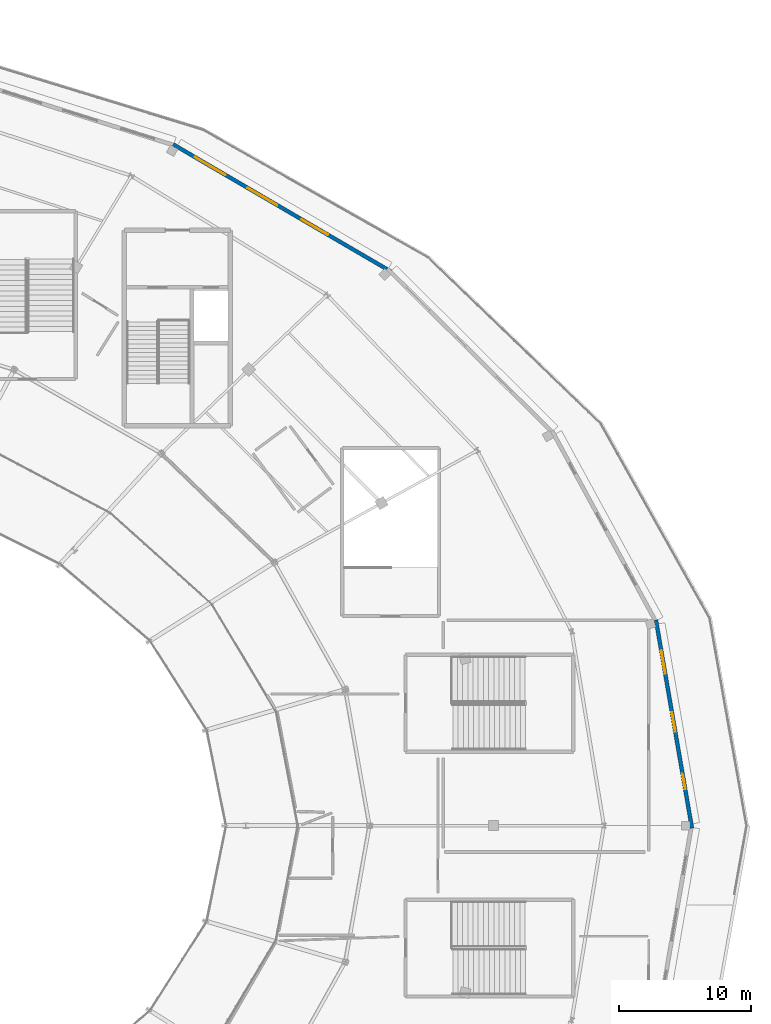
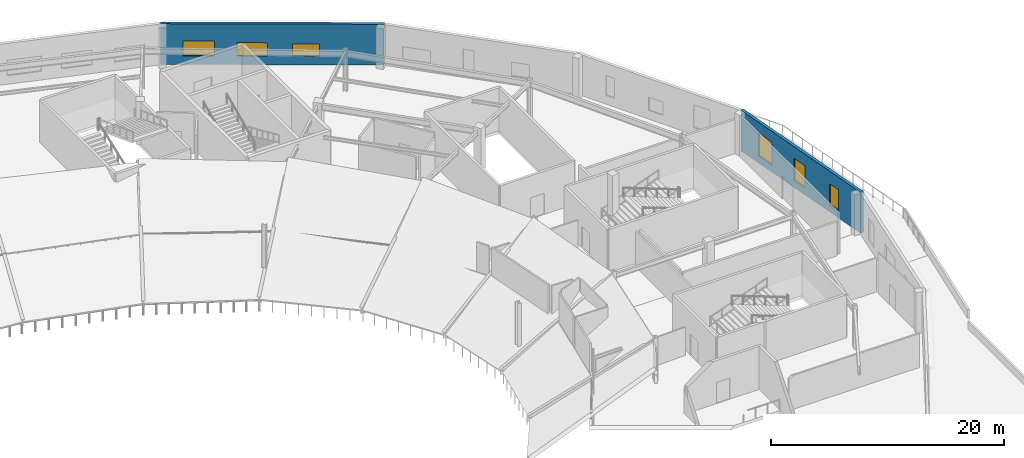
# One storey, part 42 of 63: 6 windows, 2 walls, 6 openings.
"""IFC4 building model written with IfcOpenShell, lengths in metres."""

import ifcopenshell
import ifcopenshell.guid

model = None  # the IFC model being written
_history = None  # IfcOwnerHistory: only IFC2X3 demands one
_inside = {}  # id of a spatial element -> (the spatial element, [elements in it])
_under = {}  # id of a project, library or spatial element -> (it, [spatial elements below it])
_declared = {}  # id of a project -> (the project, [libraries it declares])
_typed = {}  # id of a type object -> (the type object, [elements of that type])
_made_of = {}  # id of a material, layer set ... -> (it, [elements and type objects made of it])


def new_model(schema):
    """Start an empty IFC model of exactly this schema.

    Asked for "IFC4X3", IfcOpenShell would pick the latest addendum, in which some entities
    have other attributes; the version numbers below select the first issue.
    IFC2X3 requires an IfcOwnerHistory on every rooted entity: one is made here for all.
    """
    global model, _history
    if schema == "IFC4X3":
        model = ifcopenshell.file(schema_version=(4, 3, 0, 0))
    else:
        model = ifcopenshell.file(schema=schema)
    _inside.clear()
    _under.clear()
    _declared.clear()
    _typed.clear()
    _made_of.clear()
    _history = None
    if model.schema == "IFC2X3":
        org = make("IfcOrganization", Name="unknown")
        user = make(
            "IfcPersonAndOrganization",
            ThePerson=make("IfcPerson", FamilyName="unknown"),
            TheOrganization=org,
        )
        app = make(
            "IfcApplication",
            ApplicationDeveloper=org,
            Version="unknown",
            ApplicationFullName="unknown",
            ApplicationIdentifier="unknown",
        )
        _history = make(
            "IfcOwnerHistory",
            OwningUser=user,
            OwningApplication=app,
            ChangeAction="ADDED",
            CreationDate=0,
        )
    return model


def make(cls, **values):
    """One entity of the class cls with the attributes given. An attribute that is None is left unset."""
    return model.create_entity(
        cls, **{name: value for name, value in values.items() if value is not None}
    )


def rooted(cls, **values):
    """An entity with a GlobalId (a new one), such as an element, a storey or a relation."""
    return make(cls, GlobalId=ifcopenshell.guid.new(), OwnerHistory=_history, **values)


def si_unit(unit_type, name, prefix=None):
    """IfcSIUnit, for example si_unit("LENGTHUNIT", "METRE", prefix="MILLI")."""
    return make("IfcSIUnit", UnitType=unit_type, Prefix=prefix, Name=name)


def assignment(units):
    """IfcUnitAssignment: the units of a project."""
    return None if units is None else make("IfcUnitAssignment", Units=units)


def point(xyz):
    """IfcCartesianPoint."""
    return None if xyz is None else make("IfcCartesianPoint", Coordinates=xyz)


def direction(xyz):
    """IfcDirection."""
    return None if xyz is None else make("IfcDirection", DirectionRatios=xyz)


def frame(location, z_axis=None, x_axis=None):
    """IfcAxis2Placement3D, a coordinate frame: its origin and axes. An axis left out is left unset."""
    return make(
        "IfcAxis2Placement3D",
        Location=point(location),
        Axis=direction(z_axis),
        RefDirection=direction(x_axis),
    )


def frame_2d(location, x_axis=None):
    """IfcAxis2Placement2D, a coordinate frame in the plane: its origin and x axis."""
    return make(
        "IfcAxis2Placement2D", Location=point(location), RefDirection=direction(x_axis)
    )


def origin():
    """The frame at (0, 0, 0) with its axes left unset."""
    return frame((0.0, 0.0, 0.0))


def place(relative_to, where):
    """IfcLocalPlacement: puts the frame where relative to a parent placement (None: the world)."""
    return make(
        "IfcLocalPlacement", PlacementRelTo=relative_to, RelativePlacement=where
    )


def context(
    kind, dimensions, precision=None, world=None, true_north=None, identifier=None
):
    """IfcGeometricRepresentationContext, for example the 3D "Model" context."""
    return make(
        "IfcGeometricRepresentationContext",
        ContextIdentifier=identifier,
        ContextType=kind,
        CoordinateSpaceDimension=dimensions,
        Precision=precision,
        WorldCoordinateSystem=world,
        TrueNorth=true_north,
    )


def subcontext(parent, identifier, kind, view, scale=None):
    """IfcGeometricRepresentationSubContext, for example "Body" below "Model"."""
    return make(
        "IfcGeometricRepresentationSubContext",
        ContextIdentifier=identifier,
        ContextType=kind,
        ParentContext=parent,
        TargetScale=scale,
        TargetView=view,
    )


def project(units=None, contexts=None):
    """IfcProject with its units and contexts."""
    return rooted(
        "IfcProject",
        Name="project",
        RepresentationContexts=contexts,
        UnitsInContext=assignment(units),
    )


def spatial(cls, under=None, at=None, **own):
    """A site, building, storey or space (cls), placed at a placement, below another one or the project."""
    s = rooted(cls, ObjectPlacement=at, **own)
    if under is not None:
        _under.setdefault(under.id(), (under, []))[1].append(s)
    return s


def profile(cls, at=None, kind="AREA", **sizes):
    """A parametric profile (cls). Its sizes go by their IFC names, for example OverallWidth=200.0."""
    return make(cls, ProfileType=kind, Position=at, **sizes)


def rectangle(**sizes):
    """IfcRectangleProfileDef."""
    return profile("IfcRectangleProfileDef", **sizes)


def extrude(swept, where, along, depth):
    """IfcExtrudedAreaSolid: the profile swept, set in the frame where, extruded along a direction by depth."""
    return make(
        "IfcExtrudedAreaSolid",
        SweptArea=swept,
        Position=where,
        ExtrudedDirection=direction(along),
        Depth=depth,
    )


def shape(context_of_items, identifier, shape_type, items):
    """IfcShapeRepresentation: the items that make up one representation, for example the "Body"."""
    return make(
        "IfcShapeRepresentation",
        ContextOfItems=context_of_items,
        RepresentationIdentifier=identifier,
        RepresentationType=shape_type,
        Items=items,
    )


def material(Name=None, Category=None):
    """IfcMaterial."""
    return make("IfcMaterial", Name=Name, Category=Category)


def layer(
    of_material, thickness, ventilated=None, Name=None, Category=None, Priority=None
):
    """IfcMaterialLayer: one layer of a wall or slab, of a material (None: an air gap)."""
    return make(
        "IfcMaterialLayer",
        Material=of_material,
        LayerThickness=thickness,
        IsVentilated=ventilated,
        Name=Name,
        Category=Category,
        Priority=Priority,
    )


def layer_set(layers, Name=None):
    """IfcMaterialLayerSet."""
    return make("IfcMaterialLayerSet", MaterialLayers=layers, LayerSetName=Name)


def made_of(thing, what):
    """Note that an element or type object is made of a material, layer set ...; save() writes the relation."""
    if what is not None:
        _made_of.setdefault(what.id(), (what, []))[1].append(thing)
    return thing


def type_object(cls, material=None, **own):
    """A type object (cls), such as IfcWallType, which elements share."""
    return made_of(rooted(cls, **own), material)


def element(
    cls,
    number,
    at=None,
    inside=None,
    cuts=None,
    type_object=None,
    material=None,
    context=None,
    identifier="Body",
    shape_type=None,
    held_by="IfcProductDefinitionShape",
    body=None,
    shapes=None,
    **own,
):
    """One element of the class cls, such as IfcWall. Its Tag is "e" and its number.

    at: its placement. inside: the storey or other place that contains it. cuts: it is an
    opening in that element (IfcRelVoidsElement). A single representation is given by context,
    identifier, shape_type and body (its items); several are given by shapes. held_by: the class
    of the entity that holds the representations. save() writes the other relations.
    """
    e = rooted(cls, Tag="e%d" % number, ObjectPlacement=at, **own)
    if body is not None:
        shapes = [shape(context, identifier, shape_type, body)]
    if shapes is not None:
        e.Representation = make(held_by, Representations=shapes)
    if inside is not None:
        _inside.setdefault(inside.id(), (inside, []))[1].append(e)
    if cuts is not None:
        rooted(
            "IfcRelVoidsElement", RelatingBuildingElement=cuts, RelatedOpeningElement=e
        )
    if type_object is not None:
        _typed.setdefault(type_object.id(), (type_object, []))[1].append(e)
    return made_of(e, material)


def fill(opening, filler):
    """IfcRelFillsElement: the door or window that sits in an opening."""
    return rooted(
        "IfcRelFillsElement",
        RelatingOpeningElement=opening,
        RelatedBuildingElement=filler,
    )


def aggregate(whole, parts):
    """IfcRelAggregates: a whole, such as a stair, and the parts it consists of."""
    return rooted("IfcRelAggregates", RelatingObject=whole, RelatedObjects=parts)


def save(model, path):
    """Write the relations noted so far, then the file.

    IfcRelAggregates (storeys below a building ...), IfcRelContainedInSpatialStructure (elements
    in a storey), IfcRelDefinesByType, IfcRelAssociatesMaterial and IfcRelDeclares: one each for
    every whole, place, type object, material and project.
    """
    for whole, parts in _under.values():
        aggregate(whole, parts)
    for where, things in _inside.values():
        rooted(
            "IfcRelContainedInSpatialStructure",
            RelatedElements=things,
            RelatingStructure=where,
        )
    for kind, things in _typed.values():
        rooted("IfcRelDefinesByType", RelatedObjects=things, RelatingType=kind)
    for what, things in _made_of.values():
        rooted("IfcRelAssociatesMaterial", RelatedObjects=things, RelatingMaterial=what)
    for by, libraries in _declared.values():
        rooted("IfcRelDeclares", RelatingContext=by, RelatedDefinitions=libraries)
    model.write(path)


model = new_model("IFC4")

# Units and contexts
model_context = context("Model", 3, precision=1e-05, world=origin(), true_north=direction((0.0, 1.0)))
body_context = subcontext(model_context, "Body", "Model", "MODEL_VIEW")
ifc_project = project(units=[si_unit("LENGTHUNIT", "METRE"), si_unit("AREAUNIT", "SQUARE_METRE"), si_unit("VOLUMEUNIT", "CUBIC_METRE"), si_unit("PLANEANGLEUNIT", "RADIAN"), si_unit("MASSUNIT", "GRAM", prefix="KILO")], contexts=[model_context])

# Site, building, storey
site_placement = place(None, origin())
site = spatial("IfcSite", under=ifc_project, at=site_placement, CompositionType="ELEMENT")
building_placement = place(site_placement, origin())
building = spatial("IfcBuilding", under=site, at=building_placement, Name="Kalgoora Escarpment Arena", CompositionType="ELEMENT")
storey_placement = place(building_placement, frame((0.0, 0.0, 14.39990234375)))
storey = spatial("IfcBuildingStorey", under=building, at=storey_placement, Name="L03", CompositionType="ELEMENT", Elevation=14.39990234375)

# Wall, openings, windows
ifc_material_1 = material(Name="Upper concourse insulated spandrel wall 40 MPa", Category="concrete")
ifc_layer = layer(ifc_material_1, 0.2900390625)
ifc_layer_set = layer_set([ifc_layer], Name="WAL-EXT-290")
wall_type = type_object("IfcWallType", Name="WAL-EXT-290", PredefinedType="SOLIDWALL", material=ifc_layer_set)
wall_1_placement = place(storey_placement, frame((131.481689453125, 115.747802734375, 0.0), z_axis=(0.0, 0.0, 1.0), x_axis=(0.863607623942, -0.504164528572, 0.0)))
wall_1 = element("IfcWall", 1, at=wall_1_placement, inside=storey, type_object=wall_type, Name="L03 limestone-faced external wall 062", PredefinedType="SOLIDWALL", context=body_context, shape_type="SweptSolid", body=[
    extrude(rectangle(XDim=19.185791015625, YDim=0.2900390625, at=frame_2d((9.5927734375, 0.0))), origin(), (0.0, 0.0, 1.0), 4.260009765625),
])
opening_1_placement = place(wall_1_placement, frame((1.89990234375, 0.0, 0.89990234375)))
opening_1 = element("IfcOpeningElement", 2, at=opening_1_placement, cuts=wall_1, Name="Opening W-12", PredefinedType="OPENING", context=body_context, shape_type="SweptSolid", body=[
    extrude(rectangle(XDim=2.699951171875, YDim=1.550048828125, at=frame_2d((1.35009765625, 0.77490234375))), frame((0.0, 0.155029296875, 0.0), z_axis=(0.0, -1.0, 0.0), x_axis=(1.0, 0.0, 0.0)), (0.0, 0.0, 1.0), 0.31005859375),
])
opening_2_placement = place(wall_1_placement, frame((6.550048828125, 0.0, 0.89990234375)))
opening_2 = element("IfcOpeningElement", 3, at=opening_2_placement, cuts=wall_1, Name="Opening W-14", PredefinedType="OPENING", context=body_context, shape_type="SweptSolid", body=[
    extrude(rectangle(XDim=2.60009765625, YDim=1.39990234375, at=frame_2d((1.300048828125, 0.699951171875))), frame((0.0, 0.155029296875, 0.0), z_axis=(0.0, -1.0, 0.0), x_axis=(1.0, 0.0, 0.0)), (0.0, 0.0, 1.0), 0.31005859375),
])
opening_3_placement = place(wall_1_placement, frame((11.300048828125, 0.0, 0.89990234375)))
opening_3 = element("IfcOpeningElement", 4, at=opening_3_placement, cuts=wall_1, Name="Opening W-16", PredefinedType="OPENING", context=body_context, shape_type="SweptSolid", body=[
    extrude(rectangle(XDim=2.300048828125, YDim=1.300048828125, at=frame_2d((1.14990234375, 0.64990234375))), frame((0.0, 0.155029296875, 0.0), z_axis=(0.0, -1.0, 0.0), x_axis=(1.0, 0.0, 0.0)), (0.0, 0.0, 1.0), 0.31005859375),
])
ifc_material_2 = material(Name="Low-E solar-control double glazing in champagne frame", Category="glass")
window_type_1 = type_object("IfcWindowType", Name="WIN-BAND-2700x1550", PartitioningType="SINGLE_PANEL", PredefinedType="WINDOW", material=ifc_material_2)
window_1_placement = place(opening_1_placement, origin())
window_1 = element("IfcWindow", 5, at=window_1_placement, inside=storey, type_object=window_type_1, Name="L03 scheduled facade window 092", OverallHeight=1.550048828125, OverallWidth=2.699951171875, PartitioningType="SINGLE_PANEL", PredefinedType="WINDOW", context=body_context, shape_type="SweptSolid", body=[
    extrude(rectangle(XDim=2.699951171875, YDim=1.550048828125, at=frame_2d((1.35009765625, 0.77490234375))), frame((0.0, 0.030029296875, 0.0), z_axis=(0.0, -1.0, 0.0), x_axis=(1.0, 0.0, 0.0)), (0.0, 0.0, 1.0), 0.06005859375),
])
fill(opening_1, window_1)
ifc_material_3 = material(Name="Low-E solar-control double glazing in champagne frame", Category="glass")
window_type_2 = type_object("IfcWindowType", Name="WIN-CLER-2300x1300", PartitioningType="SINGLE_PANEL", PredefinedType="WINDOW", material=ifc_material_3)
window_2_placement = place(opening_3_placement, origin())
window_2 = element("IfcWindow", 6, at=window_2_placement, inside=storey, type_object=window_type_2, Name="L03 scheduled facade window 094", OverallHeight=1.300048828125, OverallWidth=2.300048828125, PartitioningType="SINGLE_PANEL", PredefinedType="WINDOW", context=body_context, shape_type="SweptSolid", body=[
    extrude(rectangle(XDim=2.300048828125, YDim=1.300048828125, at=frame_2d((1.14990234375, 0.64990234375))), frame((0.0, 0.030029296875, 0.0), z_axis=(0.0, -1.0, 0.0), x_axis=(1.0, 0.0, 0.0)), (0.0, 0.0, 1.0), 0.06005859375),
])
fill(opening_3, window_2)
ifc_material_4 = material(Name="Low-E solar-control double glazing in champagne frame", Category="glass")
window_type_3 = type_object("IfcWindowType", Name="WIN-CLER-2600x1400", PartitioningType="SINGLE_PANEL", PredefinedType="WINDOW", material=ifc_material_4)
window_3_placement = place(opening_2_placement, origin())
window_3 = element("IfcWindow", 7, at=window_3_placement, inside=storey, type_object=window_type_3, Name="L03 scheduled facade window 093", OverallHeight=1.39990234375, OverallWidth=2.60009765625, PartitioningType="SINGLE_PANEL", PredefinedType="WINDOW", context=body_context, shape_type="SweptSolid", body=[
    extrude(rectangle(XDim=2.60009765625, YDim=1.39990234375, at=frame_2d((1.300048828125, 0.699951171875))), frame((0.0, 0.030029296875, 0.0), z_axis=(0.0, -1.0, 0.0), x_axis=(1.0, 0.0, 0.0)), (0.0, 0.0, 1.0), 0.06005859375),
])
fill(opening_2, window_3)

wall_2_placement = place(storey_placement, frame((168.150146484375, 79.618408203125, 0.0), z_axis=(0.0, 0.0, 1.0), x_axis=(0.170508190824, -0.985356258854, 0.0)))
wall_2 = element("IfcWall", 8, at=wall_2_placement, inside=storey, type_object=wall_type, Name="L03 limestone-faced external wall 065", PredefinedType="SOLIDWALL", context=body_context, shape_type="SweptSolid", body=[
    extrude(rectangle(XDim=16.043701171875, YDim=0.2900390625, at=frame_2d((8.02197265625, 0.0))), origin(), (0.0, 0.0, 1.0), 4.260009765625),
])
opening_4_placement = place(wall_2_placement, frame((2.35009765625, 0.0, 0.75)))
opening_4 = element("IfcOpeningElement", 9, at=opening_4_placement, cuts=wall_2, Name="Opening W-01", PredefinedType="OPENING", context=body_context, shape_type="SweptSolid", body=[
    extrude(rectangle(XDim=1.800048828125, YDim=2.39990234375, at=frame_2d((0.89990234375, 1.199951171875))), frame((0.0, 0.155029296875, 0.0), z_axis=(0.0, -1.0, 0.0), x_axis=(1.0, 0.0, 0.0)), (0.0, 0.0, 1.0), 0.31005859375),
])
opening_5_placement = place(wall_2_placement, frame((7.10009765625, 0.0, 0.75)))
opening_5 = element("IfcOpeningElement", 10, at=opening_5_placement, cuts=wall_2, Name="Opening W-03", PredefinedType="OPENING", context=body_context, shape_type="SweptSolid", body=[
    extrude(rectangle(XDim=1.5, YDim=2.300048828125, at=frame_2d((0.75, 1.14990234375))), frame((0.0, 0.155029296875, 0.0), z_axis=(0.0, -1.0, 0.0), x_axis=(1.0, 0.0, 0.0)), (0.0, 0.0, 1.0), 0.31005859375),
])
opening_6_placement = place(wall_2_placement, frame((11.85009765625, 0.0, 0.75)))
opening_6 = element("IfcOpeningElement", 11, at=opening_6_placement, cuts=wall_2, Name="Opening W-05", PredefinedType="OPENING", context=body_context, shape_type="SweptSolid", body=[
    extrude(rectangle(XDim=1.199951171875, YDim=2.199951171875, at=frame_2d((0.60009765625, 1.10009765625))), frame((0.0, 0.155029296875, 0.0), z_axis=(0.0, -1.0, 0.0), x_axis=(1.0, 0.0, 0.0)), (0.0, 0.0, 1.0), 0.31005859375),
])
ifc_material_5 = material(Name="Low-E solar-control double glazing in champagne frame", Category="glass")
window_type_4 = type_object("IfcWindowType", Name="WIN-DECO-1200x2200", PartitioningType="SINGLE_PANEL", PredefinedType="WINDOW", material=ifc_material_5)
window_4_placement = place(opening_6_placement, origin())
window_4 = element("IfcWindow", 12, at=window_4_placement, inside=storey, type_object=window_type_4, Name="L03 scheduled facade window 103", OverallHeight=2.199951171875, OverallWidth=1.199951171875, PartitioningType="SINGLE_PANEL", PredefinedType="WINDOW", context=body_context, shape_type="SweptSolid", body=[
    extrude(rectangle(XDim=1.199951171875, YDim=2.199951171875, at=frame_2d((0.60009765625, 1.10009765625))), frame((0.0, 0.030029296875, 0.0), z_axis=(0.0, -1.0, 0.0), x_axis=(1.0, 0.0, 0.0)), (0.0, 0.0, 1.0), 0.06005859375),
])
fill(opening_6, window_4)
ifc_material_6 = material(Name="Low-E solar-control double glazing in champagne frame", Category="glass")
window_type_5 = type_object("IfcWindowType", Name="WIN-DECO-1500x2300", PartitioningType="SINGLE_PANEL", PredefinedType="WINDOW", material=ifc_material_6)
window_5_placement = place(opening_5_placement, origin())
window_5 = element("IfcWindow", 13, at=window_5_placement, inside=storey, type_object=window_type_5, Name="L03 scheduled facade window 102", OverallHeight=2.300048828125, OverallWidth=1.5, PartitioningType="SINGLE_PANEL", PredefinedType="WINDOW", context=body_context, shape_type="SweptSolid", body=[
    extrude(rectangle(XDim=1.5, YDim=2.300048828125, at=frame_2d((0.75, 1.14990234375))), frame((0.0, 0.030029296875, 0.0), z_axis=(0.0, -1.0, 0.0), x_axis=(1.0, 0.0, 0.0)), (0.0, 0.0, 1.0), 0.06005859375),
])
fill(opening_5, window_5)
ifc_material_7 = material(Name="Low-E solar-control double glazing in champagne frame", Category="glass")
window_type_6 = type_object("IfcWindowType", Name="WIN-DECO-1800x2400", PartitioningType="SINGLE_PANEL", PredefinedType="WINDOW", material=ifc_material_7)
window_6_placement = place(opening_4_placement, origin())
window_6 = element("IfcWindow", 14, at=window_6_placement, inside=storey, type_object=window_type_6, Name="L03 scheduled facade window 101", OverallHeight=2.39990234375, OverallWidth=1.800048828125, PartitioningType="SINGLE_PANEL", PredefinedType="WINDOW", context=body_context, shape_type="SweptSolid", body=[
    extrude(rectangle(XDim=1.800048828125, YDim=2.39990234375, at=frame_2d((0.89990234375, 1.199951171875))), frame((0.0, 0.030029296875, 0.0), z_axis=(0.0, -1.0, 0.0), x_axis=(1.0, 0.0, 0.0)), (0.0, 0.0, 1.0), 0.06005859375),
])
fill(opening_4, window_6)

save(model, "model.ifc")
